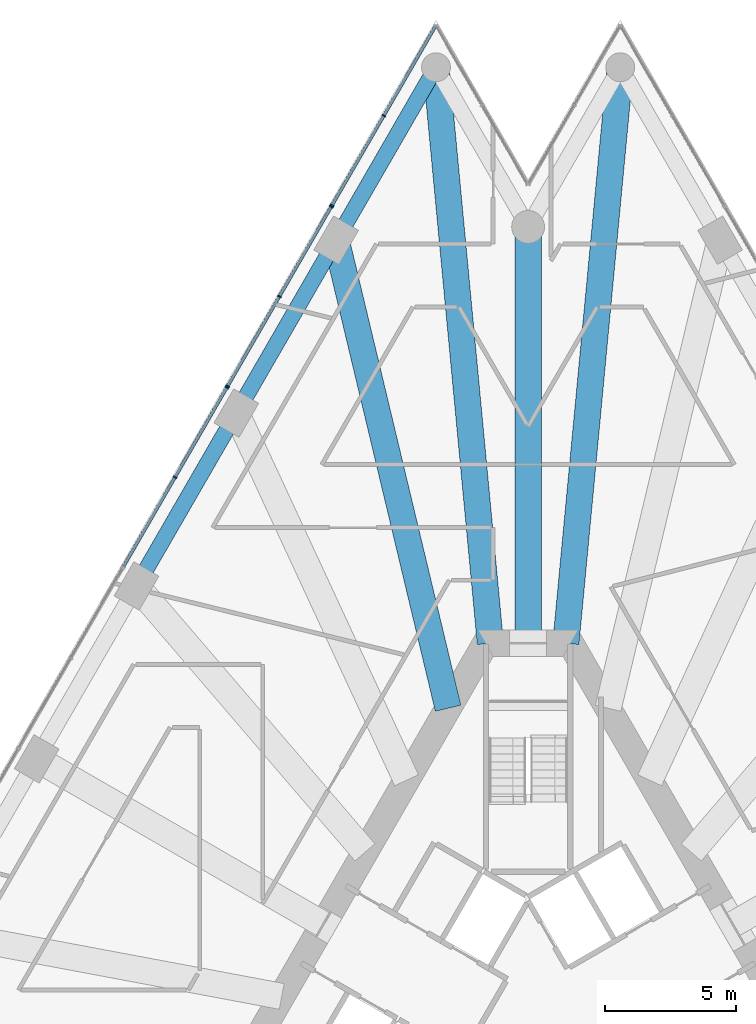
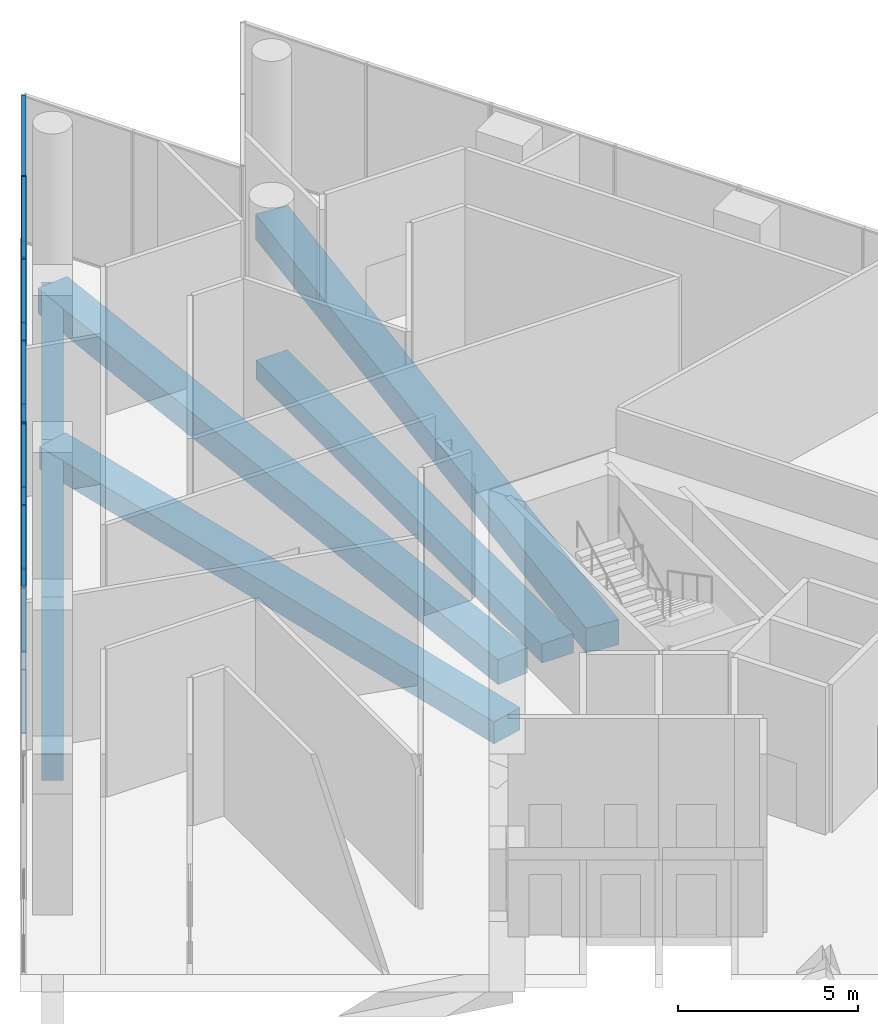
# One storey, part 17 of 32: 19 members, 7 beams, 3 elements without a shape of their own.
"""IFC4 building model written with IfcOpenShell, lengths in metres."""

from ifc_helpers import new_model, si_unit, direction, frame, origin, origin_2d, place, context, subcontext, project, spatial, rectangle, extrude, material, layer, layer_set, material_profile, profile_set, type_object, element, aggregate, save


model = new_model("IFC4")

# Units and contexts
model_context = context("Model", 3, precision=1e-05, world=origin(), true_north=direction((0.0, 1.0)))
body_context = subcontext(model_context, "Body", "Model", "MODEL_VIEW")
ifc_project = project(units=[si_unit("LENGTHUNIT", "METRE"), si_unit("AREAUNIT", "SQUARE_METRE"), si_unit("VOLUMEUNIT", "CUBIC_METRE"), si_unit("PLANEANGLEUNIT", "RADIAN"), si_unit("MASSUNIT", "GRAM", prefix="KILO")], contexts=[model_context])

# Site, building, storey
site_placement = place(None, origin())
site = spatial("IfcSite", under=ifc_project, at=site_placement, CompositionType="ELEMENT")
building_placement = place(site_placement, origin())
building = spatial("IfcBuilding", under=site, at=building_placement, Name="Triada Interchange Tower", CompositionType="ELEMENT")
storey_placement = place(building_placement, frame((0.0, 0.0, 14.5)))
storey = spatial("IfcBuildingStorey", under=building, at=storey_placement, Name="L02", CompositionType="ELEMENT", Elevation=14.5)

# Curtain wall, members
ifc_material_1 = material(Name="Aluminium framed glazing", Category="aluminium")
ifc_layer = layer(ifc_material_1, 0.199951171875)
ifc_layer_set = layer_set([ifc_layer], Name="Curtain wall Retail shopfront")
curtain_wall_type = type_object("IfcCurtainWallType", Name="Curtain wall Retail shopfront", PredefinedType="NOTDEFINED", material=ifc_layer_set)
curtain_wall_1_placement = place(storey_placement, origin())
curtain_wall_1 = element("IfcCurtainWall", 1, at=curtain_wall_1_placement, inside=storey, type_object=curtain_wall_type, Name="Retail shopfront CW023 L02", PredefinedType="NOTDEFINED")
ifc_material_2 = material(Name="Aluminium", Category="aluminium")
ifc_material_profile_1 = material_profile(ifc_material_2, rectangle(XDim=0.14990234375, YDim=0.050048828125, at=origin_2d()), Name="Aluminium mullion")
ifc_profile_set_1 = profile_set([ifc_material_profile_1], Name="Aluminium")
member_type_1 = type_object("IfcMemberType", Name="Mullion Retail shopfront 150x50", PredefinedType="MULLION", material=ifc_profile_set_1)
member_1_placement = place(storey_placement, frame((-5.491943359375, 35.28662109375, 0.0), z_axis=(0.0, 0.0, 1.0), x_axis=(0.86604927658, -0.499958648825, 0.0)))
member_1 = element("IfcMember", 2, at=member_1_placement, type_object=member_type_1, Name="CW023 mullion 2", PredefinedType="MULLION", context=body_context, shape_type="SweptSolid", body=[
    extrude(rectangle(XDim=0.14990234375, YDim=0.050048828125, at=origin_2d()), origin(), (0.0, 0.0, 1.0), 5.0),
])
member_2_placement = place(storey_placement, frame((-7.464599609375, 31.86962890625, 0.0), z_axis=(0.0, 0.0, 1.0), x_axis=(0.86604927658, -0.499958648825, 0.0)))
member_2 = element("IfcMember", 3, at=member_2_placement, type_object=member_type_1, Name="CW023 mullion 3", PredefinedType="MULLION", context=body_context, shape_type="SweptSolid", body=[
    extrude(rectangle(XDim=0.14990234375, YDim=0.050048828125, at=origin_2d()), origin(), (0.0, 0.0, 1.0), 5.0),
])

curtain_wall_2_placement = place(storey_placement, origin())
curtain_wall_2 = element("IfcCurtainWall", 4, at=curtain_wall_2_placement, inside=storey, type_object=curtain_wall_type, Name="Retail shopfront CW024 L02", PredefinedType="NOTDEFINED")
member_3_placement = place(storey_placement, frame((-7.49560546875, 31.8173828125, 0.0), z_axis=(0.0, 0.0, 1.0), x_axis=(0.866055473648, -0.499947913852, 0.0)))
member_3 = element("IfcMember", 5, at=member_3_placement, type_object=member_type_1, Name="CW024 mullion 1", PredefinedType="MULLION", context=body_context, shape_type="SweptSolid", body=[
    extrude(rectangle(XDim=0.14990234375, YDim=0.050048828125, at=origin_2d()), origin(), (0.0, 0.0, 1.0), 5.0),
])
member_4_placement = place(storey_placement, frame((-9.466552734375, 28.403076171875, 0.0), z_axis=(0.0, 0.0, 1.0), x_axis=(0.866055473648, -0.499947913852, 0.0)))
member_4 = element("IfcMember", 6, at=member_4_placement, type_object=member_type_1, Name="CW024 mullion 2", PredefinedType="MULLION", context=body_context, shape_type="SweptSolid", body=[
    extrude(rectangle(XDim=0.14990234375, YDim=0.050048828125, at=origin_2d()), origin(), (0.0, 0.0, 1.0), 5.0),
])
member_5_placement = place(storey_placement, frame((-11.4375, 24.98876953125, 0.0), z_axis=(0.0, 0.0, 1.0), x_axis=(0.866055473648, -0.499947913852, 0.0)))
member_5 = element("IfcMember", 7, at=member_5_placement, type_object=member_type_1, Name="CW024 mullion 3", PredefinedType="MULLION", context=body_context, shape_type="SweptSolid", body=[
    extrude(rectangle(XDim=0.14990234375, YDim=0.050048828125, at=origin_2d()), origin(), (0.0, 0.0, 1.0), 5.0),
])

curtain_wall_3_placement = place(storey_placement, origin())
curtain_wall_3 = element("IfcCurtainWall", 8, at=curtain_wall_3_placement, inside=storey, type_object=curtain_wall_type, Name="Retail shopfront CW025 L02", PredefinedType="NOTDEFINED")
member_6_placement = place(storey_placement, frame((-11.468505859375, 24.936279296875, 0.0), z_axis=(0.0, 0.0, 1.0), x_axis=(0.866055473648, -0.499947913852, 0.0)))
member_6 = element("IfcMember", 9, at=member_6_placement, type_object=member_type_1, Name="CW025 mullion 1", PredefinedType="MULLION", context=body_context, shape_type="SweptSolid", body=[
    extrude(rectangle(XDim=0.14990234375, YDim=0.050048828125, at=origin_2d()), origin(), (0.0, 0.0, 1.0), 5.0),
])
member_7_placement = place(storey_placement, frame((-13.439453125, 21.52197265625, 0.0), z_axis=(0.0, 0.0, 1.0), x_axis=(0.866055473648, -0.499947913852, 0.0)))
member_7 = element("IfcMember", 10, at=member_7_placement, type_object=member_type_1, Name="CW025 mullion 2", PredefinedType="MULLION", context=body_context, shape_type="SweptSolid", body=[
    extrude(rectangle(XDim=0.14990234375, YDim=0.050048828125, at=origin_2d()), origin(), (0.0, 0.0, 1.0), 5.0),
])

# Beams
ifc_material_3 = material(Name="Concrete C50/60", Category="concrete")
ifc_material_profile_2 = material_profile(ifc_material_3, rectangle(XDim=1.0, YDim=0.64990234375, at=origin_2d()), Name="RC 1000x650")
ifc_profile_set_2 = profile_set([ifc_material_profile_2], Name="Concrete C50/60")
beam_type_1 = type_object("IfcBeamType", Name="Radial band beam P RC 1000x650", PredefinedType="BEAM", material=ifc_profile_set_2)
beam_1_placement = place(storey_placement, frame((0.0, 31.050048828125, -0.72509765625), z_axis=(0.0, -1.0, 0.0), x_axis=(1.0, 0.0, 0.0)))
element("IfcBeam", 11, at=beam_1_placement, inside=storey, type_object=beam_type_1, Name="Radial band beam BP30 L02", PredefinedType="BEAM", context=body_context, shape_type="SweptSolid", body=[
    extrude(rectangle(XDim=1.0, YDim=0.64990234375, at=origin_2d()), origin(), (0.0, 0.0, 1.0), 15.85009765625),
])
ifc_material_profile_3 = material_profile(ifc_material_3, rectangle(XDim=1.0, YDim=0.75, at=origin_2d()), Name="RC 1000x750")
ifc_profile_set_3 = profile_set([ifc_material_profile_3], Name="Concrete C50/60")
beam_type_2 = type_object("IfcBeamType", Name="Radial band beam P RC 1000x750", PredefinedType="BEAM", material=ifc_profile_set_3)
beam_2_placement = place(storey_placement, frame((-7.306884765625, 30.5439453125, -0.77490234375), z_axis=(0.232645559645, -0.972561588578, 0.0), x_axis=(0.972561588578, 0.232645559645, 0.0)))
element("IfcBeam", 12, at=beam_2_placement, inside=storey, type_object=beam_type_2, Name="Radial band beam BP02 L02", PredefinedType="BEAM", context=body_context, shape_type="SweptSolid", body=[
    extrude(rectangle(XDim=1.0, YDim=0.75, at=origin_2d()), origin(), (0.0, 0.0, 1.0), 18.319580078125),
])
ifc_material_profile_4 = material_profile(ifc_material_3, rectangle(XDim=1.0, YDim=0.85009765625, at=origin_2d()), Name="RC 1000x850")
ifc_profile_set_4 = profile_set([ifc_material_profile_4], Name="Concrete C50/60")
beam_type_3 = type_object("IfcBeamType", Name="Radial band beam P RC 1000x850", PredefinedType="BEAM", material=ifc_profile_set_4)
for number, where, z_axis, x_axis, name in (
    (13, (-3.507080078125, 37.125, -0.824951171875), (0.094041597071, -0.99556826889, 0.0), (0.99556826889, 0.094041597071, 0.0), "Radial band beam BP01 L02"),
    (14, (3.507080078125, 37.125, -0.824951171875), (-0.094041597071, -0.99556826889, 0.0), (0.99556826889, -0.094041597071, 0.0), "Radial band beam BP29 L02"),
):
    element("IfcBeam", number, at=place(storey_placement, frame(where, z_axis=z_axis, x_axis=x_axis)), inside=storey, type_object=beam_type_3, Name=name, PredefinedType="BEAM", context=body_context, shape_type="SweptSolid", body=[
        extrude(rectangle(XDim=1.0, YDim=0.85009765625, at=origin_2d()), origin(), (0.0, 0.0, 1.0), 22.022705078125),
    ])
ifc_material_profile_5 = material_profile(ifc_material_3, rectangle(XDim=0.60009765625, YDim=0.89990234375, at=origin_2d()), Name="RC 600x900")
ifc_profile_set_5 = profile_set([ifc_material_profile_5], Name="Concrete C50/60")
beam_type_4 = type_object("IfcBeamType", Name="Spandrel beam P RC 600x900", PredefinedType="BEAM", material=ifc_profile_set_5)
beam_3_placement = place(storey_placement, frame((-3.507080078125, 37.125, -0.85009765625), z_axis=(-0.500022797313, -0.86601224135, 0.0), x_axis=(0.86601224135, -0.500022797313, 0.0)))
element("IfcBeam", 15, at=beam_3_placement, inside=storey, type_object=beam_type_4, Name="Spandrel beam EP01 L02", PredefinedType="BEAM", context=body_context, shape_type="SweptSolid", body=[
    extrude(rectangle(XDim=0.60009765625, YDim=0.89990234375, at=origin_2d()), origin(), (0.0, 0.0, 1.0), 7.599365234375),
])
beam_4_placement = place(storey_placement, frame((-7.306884765625, 30.5439453125, -0.85009765625), z_axis=(-0.499894869559, -0.866086092366, 0.0), x_axis=(0.866086092366, -0.499894869559, 0.0)))
element("IfcBeam", 16, at=beam_4_placement, inside=storey, type_object=beam_type_4, Name="Spandrel beam EP02 L02", PredefinedType="BEAM", context=body_context, shape_type="SweptSolid", body=[
    extrude(rectangle(XDim=0.60009765625, YDim=0.89990234375, at=origin_2d()), origin(), (0.0, 0.0, 1.0), 7.599853515625),
])
beam_5_placement = place(storey_placement, frame((-11.10595703125, 23.9619140625, -0.85009765625), z_axis=(-0.500060803479, -0.865990296034, 0.0), x_axis=(0.865990296034, -0.500060803479, 0.0)))
element("IfcBeam", 17, at=beam_5_placement, inside=storey, type_object=beam_type_4, Name="Spandrel beam EP03 L02", PredefinedType="BEAM", context=body_context, shape_type="SweptSolid", body=[
    extrude(rectangle(XDim=0.60009765625, YDim=0.89990234375, at=origin_2d()), origin(), (0.0, 0.0, 1.0), 7.59912109375),
])

# Member
ifc_material_profile_6 = material_profile(ifc_material_2, rectangle(XDim=0.1201171875, YDim=0.050048828125, at=origin_2d()), Name="Aluminium transom")
ifc_profile_set_6 = profile_set([ifc_material_profile_6], Name="Aluminium")
member_type_2 = type_object("IfcMemberType", Name="Transom Retail shopfront 120x50", PredefinedType="USERDEFINED", material=ifc_profile_set_6)
member_8_placement = place(storey_placement, frame((-3.531982421875, 38.681640625, 0.02490234375), z_axis=(-0.499961171201, -0.866047820441, 0.0), x_axis=(0.866047820441, -0.499961171201, 0.0)))
member_8 = element("IfcMember", 18, at=member_8_placement, type_object=member_type_2, Name="CW023 transom 1.1", ObjectType="TRANSOM", PredefinedType="USERDEFINED", context=body_context, shape_type="SweptSolid", body=[
    extrude(rectangle(XDim=0.1201171875, YDim=0.050048828125, at=origin_2d()), origin(), (0.0, 0.0, 1.0), 3.895263671875),
])

member_9_placement = place(storey_placement, frame((-3.531982421875, 38.681640625, 4.97509765625), z_axis=(-0.499961171201, -0.866047820441, 0.0), x_axis=(0.866047820441, -0.499961171201, 0.0)))
member_9 = element("IfcMember", 19, at=member_9_placement, type_object=member_type_2, Name="CW023 transom 1.2", ObjectType="TRANSOM", PredefinedType="USERDEFINED", context=body_context, shape_type="SweptSolid", body=[
    extrude(rectangle(XDim=0.1201171875, YDim=0.050048828125, at=origin_2d()), origin(), (0.0, 0.0, 1.0), 3.895263671875),
])

member_10_placement = place(storey_placement, frame((-5.50439453125, 35.264892578125, 0.02490234375), z_axis=(-0.499961171201, -0.866047820441, 0.0), x_axis=(0.866047820441, -0.499961171201, 0.0)))
member_10 = element("IfcMember", 20, at=member_10_placement, type_object=member_type_2, Name="CW023 transom 2.1", ObjectType="TRANSOM", PredefinedType="USERDEFINED", context=body_context, shape_type="SweptSolid", body=[
    extrude(rectangle(XDim=0.1201171875, YDim=0.050048828125, at=origin_2d()), origin(), (0.0, 0.0, 1.0), 3.895263671875),
])

member_11_placement = place(storey_placement, frame((-5.50439453125, 35.264892578125, 4.97509765625), z_axis=(-0.499961171201, -0.866047820441, 0.0), x_axis=(0.866047820441, -0.499961171201, 0.0)))
member_11 = element("IfcMember", 21, at=member_11_placement, type_object=member_type_2, Name="CW023 transom 2.2", ObjectType="TRANSOM", PredefinedType="USERDEFINED", context=body_context, shape_type="SweptSolid", body=[
    extrude(rectangle(XDim=0.1201171875, YDim=0.050048828125, at=origin_2d()), origin(), (0.0, 0.0, 1.0), 3.895263671875),
])

aggregate(curtain_wall_1, [member_1, member_2, member_8, member_9, member_10, member_11])

member_12_placement = place(storey_placement, frame((-7.508056640625, 31.795654296875, 0.02490234375), z_axis=(-0.499950487857, -0.866053987747, 0.0), x_axis=(0.866053987747, -0.499950487857, 0.0)))
member_12 = element("IfcMember", 22, at=member_12_placement, type_object=member_type_2, Name="CW024 transom 1.1", ObjectType="TRANSOM", PredefinedType="USERDEFINED", context=body_context, shape_type="SweptSolid", body=[
    extrude(rectangle(XDim=0.1201171875, YDim=0.050048828125, at=origin_2d()), origin(), (0.0, 0.0, 1.0), 3.892578125),
])

member_13_placement = place(storey_placement, frame((-7.508056640625, 31.795654296875, 4.97509765625), z_axis=(-0.499950487857, -0.866053987747, 0.0), x_axis=(0.866053987747, -0.499950487857, 0.0)))
member_13 = element("IfcMember", 23, at=member_13_placement, type_object=member_type_2, Name="CW024 transom 1.2", ObjectType="TRANSOM", PredefinedType="USERDEFINED", context=body_context, shape_type="SweptSolid", body=[
    extrude(rectangle(XDim=0.1201171875, YDim=0.050048828125, at=origin_2d()), origin(), (0.0, 0.0, 1.0), 3.892578125),
])

member_14_placement = place(storey_placement, frame((-9.47900390625, 28.38134765625, 0.02490234375), z_axis=(-0.499950487857, -0.866053987747, 0.0), x_axis=(0.866053987747, -0.499950487857, 0.0)))
member_14 = element("IfcMember", 24, at=member_14_placement, type_object=member_type_2, Name="CW024 transom 2.1", ObjectType="TRANSOM", PredefinedType="USERDEFINED", context=body_context, shape_type="SweptSolid", body=[
    extrude(rectangle(XDim=0.1201171875, YDim=0.050048828125, at=origin_2d()), origin(), (0.0, 0.0, 1.0), 3.892578125),
])

member_15_placement = place(storey_placement, frame((-9.47900390625, 28.38134765625, 4.97509765625), z_axis=(-0.499950487857, -0.866053987747, 0.0), x_axis=(0.866053987747, -0.499950487857, 0.0)))
member_15 = element("IfcMember", 25, at=member_15_placement, type_object=member_type_2, Name="CW024 transom 2.2", ObjectType="TRANSOM", PredefinedType="USERDEFINED", context=body_context, shape_type="SweptSolid", body=[
    extrude(rectangle(XDim=0.1201171875, YDim=0.050048828125, at=origin_2d()), origin(), (0.0, 0.0, 1.0), 3.892578125),
])

aggregate(curtain_wall_2, [member_3, member_4, member_5, member_12, member_13, member_14, member_15])

member_16_placement = place(storey_placement, frame((-11.48095703125, 24.914794921875, 0.02490234375), z_axis=(-0.499950487857, -0.866053987747, 0.0), x_axis=(0.866053987747, -0.499950487857, 0.0)))
member_16 = element("IfcMember", 26, at=member_16_placement, type_object=member_type_2, Name="CW025 transom 1.1", ObjectType="TRANSOM", PredefinedType="USERDEFINED", context=body_context, shape_type="SweptSolid", body=[
    extrude(rectangle(XDim=0.1201171875, YDim=0.050048828125, at=origin_2d()), origin(), (0.0, 0.0, 1.0), 3.892578125),
])

member_17_placement = place(storey_placement, frame((-11.48095703125, 24.914794921875, 4.97509765625), z_axis=(-0.499950487857, -0.866053987747, 0.0), x_axis=(0.866053987747, -0.499950487857, 0.0)))
member_17 = element("IfcMember", 27, at=member_17_placement, type_object=member_type_2, Name="CW025 transom 1.2", ObjectType="TRANSOM", PredefinedType="USERDEFINED", context=body_context, shape_type="SweptSolid", body=[
    extrude(rectangle(XDim=0.1201171875, YDim=0.050048828125, at=origin_2d()), origin(), (0.0, 0.0, 1.0), 3.892578125),
])

member_18_placement = place(storey_placement, frame((-13.451904296875, 21.500244140625, 0.02490234375), z_axis=(-0.499977646359, -0.866038309281, 0.0), x_axis=(0.866038309281, -0.499977646359, 0.0)))
member_18 = element("IfcMember", 28, at=member_18_placement, type_object=member_type_2, Name="CW025 transom 2.1", ObjectType="TRANSOM", PredefinedType="USERDEFINED", context=body_context, shape_type="SweptSolid", body=[
    extrude(rectangle(XDim=0.1201171875, YDim=0.050048828125, at=origin_2d()), origin(), (0.0, 0.0, 1.0), 3.892333984375),
])

member_19_placement = place(storey_placement, frame((-13.451904296875, 21.500244140625, 4.97509765625), z_axis=(-0.499977646359, -0.866038309281, 0.0), x_axis=(0.866038309281, -0.499977646359, 0.0)))
member_19 = element("IfcMember", 29, at=member_19_placement, type_object=member_type_2, Name="CW025 transom 2.2", ObjectType="TRANSOM", PredefinedType="USERDEFINED", context=body_context, shape_type="SweptSolid", body=[
    extrude(rectangle(XDim=0.1201171875, YDim=0.050048828125, at=origin_2d()), origin(), (0.0, 0.0, 1.0), 3.892333984375),
])

aggregate(curtain_wall_3, [member_6, member_7, member_16, member_17, member_18, member_19])

save(model, "model.ifc")
